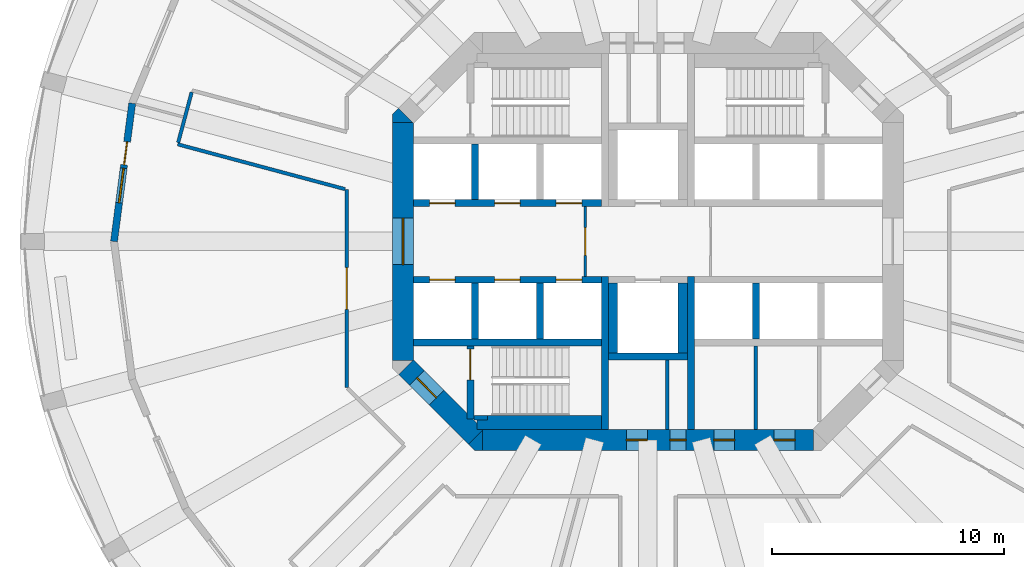
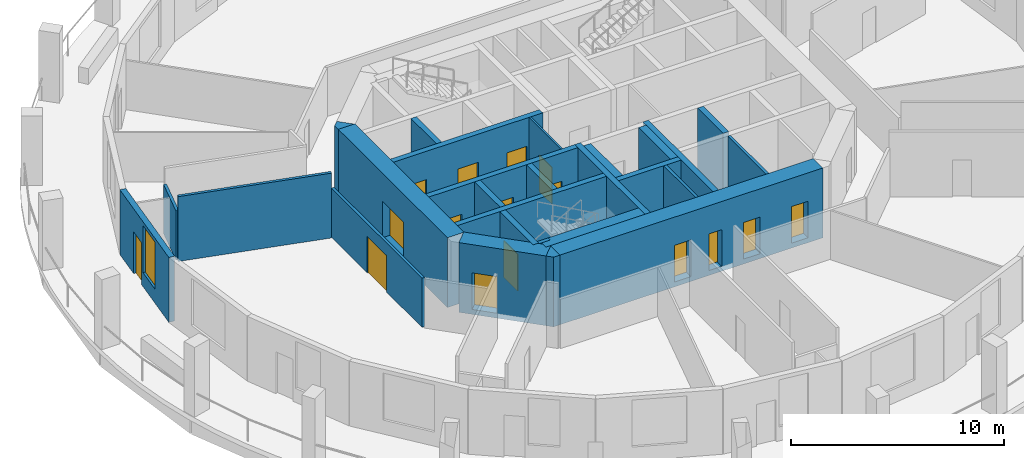
# One storey, part 3 of 9: 27 walls, 16 doors, 1 window, 17 openings.
"""IFC4 building model written with IfcOpenShell, lengths in metres."""

from ifc_helpers import new_model, si_unit, direction, frame, frame_2d, origin, place, context, subcontext, project, spatial, polyline, rectangle, outline, extrude, material, layer, layer_set, type_object, element, fill, save


model = new_model("IFC4")

# Units and contexts
model_context = context("Model", 3, precision=1e-05, world=origin(), true_north=direction((0.0, 1.0)))
body_context = subcontext(model_context, "Body", "Model", "MODEL_VIEW")
ifc_project = project(units=[si_unit("LENGTHUNIT", "METRE"), si_unit("AREAUNIT", "SQUARE_METRE"), si_unit("VOLUMEUNIT", "CUBIC_METRE"), si_unit("PLANEANGLEUNIT", "RADIAN"), si_unit("MASSUNIT", "GRAM", prefix="KILO")], contexts=[model_context])

# Site, building, storey
site_placement = place(None, origin())
site = spatial("IfcSite", under=ifc_project, at=site_placement, CompositionType="ELEMENT")
building_placement = place(site_placement, origin())
building = spatial("IfcBuilding", under=site, at=building_placement, Name="Torre Triforio", CompositionType="ELEMENT")
storey_placement = place(building_placement, frame((0.0, 0.0, 39.0)))
storey = spatial("IfcBuildingStorey", under=building, at=storey_placement, Name="L07", CompositionType="ELEMENT", Elevation=39.0)

# Walls
ifc_material_1 = material(Name="Concrete C60", Category="concrete")
ifc_layer_1 = layer(ifc_material_1, 0.300048828125)
ifc_layer_set_1 = layer_set([ifc_layer_1], Name="Concrete C60")
wall_type_1 = type_object("IfcWallType", Name="Core wall 300 mm C60 EI 120", PredefinedType="SHEAR", material=ifc_layer_set_1)
for number, where, z_axis, x_axis, name in (
    (1, (-1.85009765625, -8.10009765625, 0.0), (0.0, 0.0, 1.0), (0.0, 1.0, 0.0), "Core wall"),
    (2, (1.85009765625, -8.10009765625, 0.0), (0.0, 0.0, 1.0), (0.0, 1.0, 0.0), "Core wall"),
):
    element("IfcWall", number, at=place(storey_placement, frame(where, z_axis=z_axis, x_axis=x_axis)), inside=storey, type_object=wall_type_1, Name=name, PredefinedType="SHEAR", context=body_context, shape_type="SweptSolid", body=[
        extrude(rectangle(XDim=6.60009765625, YDim=0.300048828125, at=frame_2d((3.300048828125, 0.0))), origin(), (0.0, 0.0, 1.0), 3.719970703125),
    ])

# Wall, openings, doors
ifc_layer_2 = layer(ifc_material_1, 0.89990234375)
ifc_layer_set_2 = layer_set([ifc_layer_2], Name="Concrete C60")
wall_type_2 = type_object("IfcWallType", Name="Core wall 900 mm C60 EI 120", PredefinedType="SHEAR", material=ifc_layer_set_2)
wall_1_placement = place(storey_placement, frame((-7.1298828125, -8.550048828125, -0.280029296875), z_axis=(0.0, 0.0, 1.0), x_axis=(1.0, 0.0, 0.0)))
wall_1 = element("IfcWall", 3, at=wall_1_placement, inside=storey, type_object=wall_type_2, Name="Core wall", PredefinedType="SHEAR", context=body_context, shape_type="SweptSolid", body=[
    extrude(rectangle(XDim=14.259765625, YDim=0.89990234375, at=frame_2d((7.1298828125, 0.0))), origin(), (0.0, 0.0, 1.0), 4.0),
])
opening_1_placement = place(wall_1_placement, frame((8.080078125, 0.0, 0.280029296875)))
opening_1 = element("IfcOpeningElement", 4, at=opening_1_placement, cuts=wall_1, Name="Opening RISER-S", PredefinedType="OPENING", context=body_context, shape_type="SweptSolid", body=[
    extrude(rectangle(XDim=0.699951171875, YDim=2.10009765625, at=frame_2d((0.35009765625, 1.050048828125))), frame((0.0, 0.4599609375, 0.0), z_axis=(0.0, -1.0, 0.0), x_axis=(1.0, 0.0, 0.0)), (0.0, 0.0, 1.0), 0.919921875),
])
opening_2_placement = place(wall_1_placement, frame((6.205078125, 0.0, 0.280029296875)))
opening_2 = element("IfcOpeningElement", 5, at=opening_2_placement, cuts=wall_1, Name="Opening SW-01B", PredefinedType="OPENING", context=body_context, shape_type="SweptSolid", body=[
    extrude(rectangle(XDim=0.89990234375, YDim=2.10009765625, at=frame_2d((0.449951171875, 1.050048828125))), frame((0.0, 0.4599609375, 0.0), z_axis=(0.0, -1.0, 0.0), x_axis=(1.0, 0.0, 0.0)), (0.0, 0.0, 1.0), 0.919921875),
])
opening_3_placement = place(wall_1_placement, frame((9.967041015625, 0.0, 0.280029296875)))
opening_3 = element("IfcOpeningElement", 6, at=opening_3_placement, cuts=wall_1, Name="Opening SE-01A", PredefinedType="OPENING", context=body_context, shape_type="SweptSolid", body=[
    extrude(rectangle(XDim=0.89990234375, YDim=2.10009765625, at=frame_2d((0.449951171875, 1.050048828125))), frame((0.0, 0.4599609375, 0.0), z_axis=(0.0, -1.0, 0.0), x_axis=(1.0, 0.0, 0.0)), (0.0, 0.0, 1.0), 0.919921875),
])
opening_4_placement = place(wall_1_placement, frame((12.56689453125, 0.0, 0.280029296875)))
opening_4 = element("IfcOpeningElement", 7, at=opening_4_placement, cuts=wall_1, Name="Opening SE-02", PredefinedType="OPENING", context=body_context, shape_type="SweptSolid", body=[
    extrude(rectangle(XDim=0.89990234375, YDim=2.10009765625, at=frame_2d((0.449951171875, 1.050048828125))), frame((0.0, 0.4599609375, 0.0), z_axis=(0.0, -1.0, 0.0), x_axis=(1.0, 0.0, 0.0)), (0.0, 0.0, 1.0), 0.919921875),
])
ifc_material_2 = material(Name="Hollow metal fire door leaf")
door_type_1 = type_object("IfcDoorType", Name="Riser door 700 x 2100 EI 60", OperationType="NOTDEFINED", PredefinedType="DOOR", material=ifc_material_2)
door_1_placement = place(opening_1_placement, origin())
door_1 = element("IfcDoor", 8, at=door_1_placement, inside=storey, type_object=door_type_1, Name="Core door RISER-S", OperationType="SINGLE_SWING_RIGHT", OverallHeight=2.10009765625, OverallWidth=0.699951171875, PredefinedType="DOOR", context=body_context, shape_type="SweptSolid", body=[
    extrude(rectangle(XDim=0.699951171875, YDim=2.10009765625, at=frame_2d((0.35009765625, 1.050048828125))), frame((0.0, 0.02490234375, 0.0), z_axis=(0.0, -1.0, 0.0), x_axis=(1.0, 0.0, 0.0)), (0.0, 0.0, 1.0), 0.050048828125),
])
fill(opening_1, door_1)
door_type_2 = type_object("IfcDoorType", Name="Room door 900 x 2100 EI 60", OperationType="NOTDEFINED", PredefinedType="DOOR", material=ifc_material_2)
door_2_placement = place(opening_2_placement, origin())
door_2 = element("IfcDoor", 9, at=door_2_placement, inside=storey, type_object=door_type_2, Name="Core door SW-01", OperationType="SINGLE_SWING_LEFT", OverallHeight=2.10009765625, OverallWidth=0.89990234375, PredefinedType="DOOR", context=body_context, shape_type="SweptSolid", body=[
    extrude(rectangle(XDim=0.89990234375, YDim=2.10009765625, at=frame_2d((0.449951171875, 1.050048828125))), frame((0.0, 0.02490234375, 0.0), z_axis=(0.0, -1.0, 0.0), x_axis=(1.0, 0.0, 0.0)), (0.0, 0.0, 1.0), 0.050048828125),
])
fill(opening_2, door_2)
door_3_placement = place(opening_3_placement, origin())
door_3 = element("IfcDoor", 10, at=door_3_placement, inside=storey, type_object=door_type_2, Name="Core door SE-01", OperationType="SINGLE_SWING_LEFT", OverallHeight=2.10009765625, OverallWidth=0.89990234375, PredefinedType="DOOR", context=body_context, shape_type="SweptSolid", body=[
    extrude(rectangle(XDim=0.89990234375, YDim=2.10009765625, at=frame_2d((0.449951171875, 1.050048828125))), frame((0.0, 0.02490234375, 0.0), z_axis=(0.0, -1.0, 0.0), x_axis=(1.0, 0.0, 0.0)), (0.0, 0.0, 1.0), 0.050048828125),
])
fill(opening_3, door_3)
door_4_placement = place(opening_4_placement, origin())
door_4 = element("IfcDoor", 11, at=door_4_placement, inside=storey, type_object=door_type_2, Name="Core door SE-02", OperationType="SINGLE_SWING_LEFT", OverallHeight=2.10009765625, OverallWidth=0.89990234375, PredefinedType="DOOR", context=body_context, shape_type="SweptSolid", body=[
    extrude(rectangle(XDim=0.89990234375, YDim=2.10009765625, at=frame_2d((0.449951171875, 1.050048828125))), frame((0.0, 0.02490234375, 0.0), z_axis=(0.0, -1.0, 0.0), x_axis=(1.0, 0.0, 0.0)), (0.0, 0.0, 1.0), 0.050048828125),
])
fill(opening_4, door_4)

# Wall, opening, door
wall_2_placement = place(storey_placement, frame((-10.550048828125, -5.1298828125, -0.280029296875), z_axis=(0.0, 0.0, 1.0), x_axis=(0.0, 1.0, 0.0)))
wall_2 = element("IfcWall", 12, at=wall_2_placement, inside=storey, type_object=wall_type_2, Name="Core wall", PredefinedType="SHEAR", context=body_context, shape_type="SweptSolid", body=[
    extrude(rectangle(XDim=10.259765625, YDim=0.89990234375, at=frame_2d((5.1298828125, 0.0))), origin(), (0.0, 0.0, 1.0), 4.0),
])
opening_5_placement = place(wall_2_placement, frame((4.1298828125, 0.0, 0.280029296875)))
opening_5 = element("IfcOpeningElement", 13, at=opening_5_placement, cuts=wall_2, Name="Opening W-RING", PredefinedType="OPENING", context=body_context, shape_type="SweptSolid", body=[
    extrude(rectangle(XDim=2.0, YDim=2.10009765625, at=frame_2d((1.0, 1.050048828125))), frame((0.0, 0.4599609375, 0.0), z_axis=(0.0, -1.0, 0.0), x_axis=(1.0, 0.0, 0.0)), (0.0, 0.0, 1.0), 0.919921875),
])
door_type_3 = type_object("IfcDoorType", Name="Lobby door 2000 x 2100 EI 60", OperationType="DOUBLE_DOOR_SINGLE_SWING", PredefinedType="DOOR", material=ifc_material_2)
door_5_placement = place(opening_5_placement, origin())
door_5 = element("IfcDoor", 14, at=door_5_placement, inside=storey, type_object=door_type_3, Name="Core door W-RING", OperationType="DOUBLE_DOOR_SINGLE_SWING", OverallHeight=2.10009765625, OverallWidth=2.0, PredefinedType="DOOR", context=body_context, shape_type="SweptSolid", body=[
    extrude(rectangle(XDim=2.0, YDim=2.10009765625, at=frame_2d((1.0, 1.050048828125))), frame((0.0, 0.02490234375, 0.0), z_axis=(0.0, -1.0, 0.0), x_axis=(1.0, 0.0, 0.0)), (0.0, 0.0, 1.0), 0.050048828125),
])
fill(opening_5, door_5)

wall_3_placement = place(storey_placement, frame((-7.418212890625, -8.418212890625, -0.280029296875), z_axis=(0.0, 0.0, 1.0), x_axis=(-0.707106781187, 0.707106781187, 0.0)))
wall_3 = element("IfcWall", 15, at=wall_3_placement, inside=storey, type_object=wall_type_2, Name="Core wall", PredefinedType="SHEAR", context=body_context, shape_type="SweptSolid", body=[
    extrude(rectangle(XDim=4.24267578125, YDim=0.89990234375, at=frame_2d((2.121337890625, 0.0))), origin(), (0.0, 0.0, 1.0), 4.0),
])
opening_6_placement = place(wall_3_placement, frame((2.392578125, 0.0, 0.280029296875)))
opening_6 = element("IfcOpeningElement", 16, at=opening_6_placement, cuts=wall_3, Name="Opening ST3-EXIT", PredefinedType="OPENING", context=body_context, shape_type="SweptSolid", body=[
    extrude(rectangle(XDim=1.199951171875, YDim=2.10009765625, at=frame_2d((0.60009765625, 1.050048828125))), frame((0.0, 0.4599609375, 0.0), z_axis=(0.0, -1.0, 0.0), x_axis=(1.0, 0.0, 0.0)), (0.0, 0.0, 1.0), 0.919921875),
])
door_type_4 = type_object("IfcDoorType", Name="Stair lobby door 1200 x 2100 EI 60", OperationType="NOTDEFINED", PredefinedType="DOOR", material=ifc_material_2)
door_6_placement = place(opening_6_placement, origin())
door_6 = element("IfcDoor", 17, at=door_6_placement, inside=storey, type_object=door_type_4, Name="Core door ST3-EXIT", OperationType="SINGLE_SWING_RIGHT", OverallHeight=2.10009765625, OverallWidth=1.199951171875, PredefinedType="DOOR", context=body_context, shape_type="SweptSolid", body=[
    extrude(rectangle(XDim=1.199951171875, YDim=2.10009765625, at=frame_2d((0.60009765625, 1.050048828125))), frame((0.0, 0.02490234375, 0.0), z_axis=(0.0, -1.0, 0.0), x_axis=(1.0, 0.0, 0.0)), (0.0, 0.0, 1.0), 0.050048828125),
])
fill(opening_6, door_6)

# Walls
wall_4_placement = place(storey_placement, frame((0.0, 0.0, -0.280029296875)))
element("IfcWall", 18, at=wall_4_placement, inside=storey, type_object=wall_type_2, Name="Core wall", PredefinedType="SHEAR", context=body_context, shape_type="SweptSolid", body=[
    extrude(outline(polyline([(-7.472900390625, -9.0), (-7.736328125, -8.736328125), (-7.1298828125, -8.1298828125), (-7.1298828125, -9.0), (-7.472900390625, -9.0)])), origin(), (0.0, 0.0, 1.0), 4.0),
])
wall_5_placement = place(storey_placement, frame((0.0, 0.0, -0.280029296875)))
element("IfcWall", 19, at=wall_5_placement, inside=storey, type_object=wall_type_2, Name="Core wall", PredefinedType="SHEAR", context=body_context, shape_type="SweptSolid", body=[
    extrude(outline(polyline([(-10.736328125, 5.736328125), (-10.1298828125, 5.1298828125), (-11.0, 5.1298828125), (-11.0, 5.472900390625), (-10.736328125, 5.736328125)])), origin(), (0.0, 0.0, 1.0), 4.0),
])

# Wall, opening, door
ifc_material_3 = material(Name="Plasterboard on metal studs")
ifc_layer_3 = layer(ifc_material_3, 0.14990234375)
ifc_layer_set_3 = layer_set([ifc_layer_3], Name="Plasterboard on metal studs")
wall_type_3 = type_object("IfcWallType", Name="Corridor and tenancy wall 150 mm EI 60", PredefinedType="PARTITIONING", material=ifc_layer_set_3)
wall_6_placement = place(storey_placement, frame((-12.97509765625, -6.291015625, 0.0), z_axis=(0.0, 0.0, 1.0), x_axis=(0.0, 1.0, 0.0)))
wall_6 = element("IfcWall", 20, at=wall_6_placement, inside=storey, type_object=wall_type_3, Name="Partition 14", PredefinedType="PARTITIONING", context=body_context, shape_type="SweptSolid", body=[
    extrude(rectangle(XDim=8.525390625, YDim=0.14990234375, at=frame_2d((4.2626953125, 0.0))), origin(), (0.0, 0.0, 1.0), 2.820068359375),
])
opening_7_placement = place(wall_6_placement, frame((3.362548828125, 0.0, 0.0)))
opening_7 = element("IfcOpeningElement", 21, at=opening_7_placement, cuts=wall_6, Name="Opening N2-04", PredefinedType="OPENING", context=body_context, shape_type="SweptSolid", body=[
    extrude(rectangle(XDim=1.800048828125, YDim=2.10009765625, at=frame_2d((0.89990234375, 1.050048828125))), frame((0.0, 0.0849609375, 0.0), z_axis=(0.0, -1.0, 0.0), x_axis=(1.0, 0.0, 0.0)), (0.0, 0.0, 1.0), 0.169921875),
])
ifc_material_4 = material(Name="Timber", Category="wood")
door_type_5 = type_object("IfcDoorType", Name="Door 1800 x 2100 double leaf EI 30", OperationType="DOUBLE_DOOR_SINGLE_SWING", PredefinedType="DOOR", material=ifc_material_4)
door_7_placement = place(opening_7_placement, origin())
door_7 = element("IfcDoor", 22, at=door_7_placement, inside=storey, type_object=door_type_5, Name="Door N2-04", OperationType="DOUBLE_DOOR_SINGLE_SWING", OverallHeight=2.10009765625, OverallWidth=1.800048828125, PredefinedType="DOOR", context=body_context, shape_type="SweptSolid", body=[
    extrude(rectangle(XDim=1.800048828125, YDim=2.10009765625, at=frame_2d((0.89990234375, 1.050048828125))), frame((0.0, 0.02490234375, 0.0), z_axis=(0.0, -1.0, 0.0), x_axis=(1.0, 0.0, 0.0)), (0.0, 0.0, 1.0), 0.050048828125),
])
fill(opening_7, door_7)

# Walls
wall_7_placement = place(storey_placement, frame((-13.044921875, 2.253173828125, 0.0), z_axis=(0.0, 0.0, 1.0), x_axis=(-0.965924840231, 0.258822725092, 0.0)))
element("IfcWall", 23, at=wall_7_placement, inside=storey, type_object=wall_type_3, Name="Partition 15", PredefinedType="PARTITIONING", context=body_context, shape_type="SweptSolid", body=[
    extrude(rectangle(XDim=7.465087890625, YDim=0.14990234375, at=frame_2d((3.732421875, 0.0))), origin(), (0.0, 0.0, 1.0), 3.719970703125),
])
wall_8_placement = place(storey_placement, frame((-20.236328125, 4.257568359375, 0.0), z_axis=(0.0, 0.0, 1.0), x_axis=(0.258891558609, 0.965906393436, 0.0)))
element("IfcWall", 24, at=wall_8_placement, inside=storey, type_object=wall_type_3, Name="Partition 16", PredefinedType="PARTITIONING", context=body_context, shape_type="SweptSolid", body=[
    extrude(rectangle(XDim=2.25, YDim=0.14990234375, at=frame_2d((1.125, 0.0))), origin(), (0.0, 0.0, 1.0), 2.820068359375),
])

# Wall, opening, door
ifc_material_5 = material(Name="Block and board partition")
ifc_layer_4 = layer(ifc_material_5, 0.10009765625)
ifc_layer_set_4 = layer_set([ifc_layer_4], Name="Block and board partition")
wall_type_4 = type_object("IfcWallType", Name="Partition 100 mm EI 120", PredefinedType="PARTITIONING", material=ifc_layer_set_4)
wall_9_placement = place(storey_placement, frame((-2.699951171875, -1.5, 0.0), z_axis=(0.0, 0.0, 1.0), x_axis=(0.0, 1.0, 0.0)))
wall_9 = element("IfcWall", 25, at=wall_9_placement, inside=storey, type_object=wall_type_4, Name="Partition", PredefinedType="PARTITIONING", context=body_context, shape_type="SweptSolid", body=[
    extrude(rectangle(XDim=3.0, YDim=0.10009765625, at=frame_2d((1.5, 0.0))), origin(), (0.0, 0.0, 1.0), 3.719970703125),
])
opening_8_placement = place(wall_9_placement, frame((0.89990234375, 0.0, 0.0)))
opening_8 = element("IfcOpeningElement", 26, at=opening_8_placement, cuts=wall_9, Name="Opening FF-W", PredefinedType="OPENING", context=body_context, shape_type="SweptSolid", body=[
    extrude(rectangle(XDim=1.199951171875, YDim=2.10009765625, at=frame_2d((0.60009765625, 1.050048828125))), frame((0.0, 0.06005859375, 0.0), z_axis=(0.0, -1.0, 0.0), x_axis=(1.0, 0.0, 0.0)), (0.0, 0.0, 1.0), 0.1201171875),
])
door_type_6 = type_object("IfcDoorType", Name="Fire-fighting lobby door 1200 x 2100 EI 60", OperationType="NOTDEFINED", PredefinedType="DOOR", material=ifc_material_2)
door_8_placement = place(opening_8_placement, origin())
door_8 = element("IfcDoor", 27, at=door_8_placement, inside=storey, type_object=door_type_6, Name="Core door FF-W", OperationType="SINGLE_SWING_RIGHT", OverallHeight=2.10009765625, OverallWidth=1.199951171875, PredefinedType="DOOR", context=body_context, shape_type="SweptSolid", body=[
    extrude(rectangle(XDim=1.199951171875, YDim=2.10009765625, at=frame_2d((0.60009765625, 1.050048828125))), frame((0.0, 0.02490234375, 0.0), z_axis=(0.0, -1.0, 0.0), x_axis=(1.0, 0.0, 0.0)), (0.0, 0.0, 1.0), 0.050048828125),
])
fill(opening_8, door_8)

# Walls
ifc_layer_5 = layer(ifc_material_5, 0.14990234375)
ifc_layer_set_5 = layer_set([ifc_layer_5], Name="Block and board partition")
wall_type_5 = type_object("IfcWallType", Name="Partition 150 mm", PredefinedType="PARTITIONING", material=ifc_layer_set_5)
wall_10_placement = place(storey_placement, frame((4.64892578125, -8.10009765625, 0.0), z_axis=(0.0, 0.0, 1.0), x_axis=(0.0, 1.0, 0.0)))
element("IfcWall", 28, at=wall_10_placement, inside=storey, type_object=wall_type_5, Name="Partition", PredefinedType="PARTITIONING", context=body_context, shape_type="SweptSolid", body=[
    extrude(rectangle(XDim=3.60009765625, YDim=0.14990234375, at=frame_2d((1.800048828125, 0.0))), origin(), (0.0, 0.0, 1.0), 3.719970703125),
])
ifc_layer_6 = layer(ifc_material_5, 0.14990234375)
ifc_layer_set_6 = layer_set([ifc_layer_6], Name="Block and board partition")
wall_type_6 = type_object("IfcWallType", Name="Partition 150 mm EI 120", PredefinedType="PARTITIONING", material=ifc_layer_set_6)
wall_11_placement = place(storey_placement, frame((0.824951171875, -8.10009765625, 0.0), z_axis=(0.0, 0.0, 1.0), x_axis=(0.0, 1.0, 0.0)))
element("IfcWall", 29, at=wall_11_placement, inside=storey, type_object=wall_type_6, Name="Partition", PredefinedType="PARTITIONING", context=body_context, shape_type="SweptSolid", body=[
    extrude(rectangle(XDim=3.0, YDim=0.14990234375, at=frame_2d((1.5, 0.0))), origin(), (0.0, 0.0, 1.0), 3.719970703125),
])
ifc_layer_7 = layer(ifc_material_1, 0.300048828125)
ifc_layer_set_7 = layer_set([ifc_layer_7], Name="Concrete C60")
wall_type_7 = type_object("IfcWallType", Name="Shaft wall 300 mm C60 EI 120", PredefinedType="SOLIDWALL", material=ifc_layer_set_7)
wall_12_placement = place(storey_placement, frame((-10.10009765625, -4.35009765625, 0.0), z_axis=(0.0, 0.0, 1.0), x_axis=(1.0, 0.0, 0.0)))
element("IfcWall", 30, at=wall_12_placement, inside=storey, type_object=wall_type_7, Name="Shaft wall", PredefinedType="SOLIDWALL", context=body_context, shape_type="SweptSolid", body=[
    extrude(rectangle(XDim=8.10009765625, YDim=0.300048828125, at=frame_2d((4.050048828125, 0.0))), origin(), (0.0, 0.0, 1.0), 3.719970703125),
])

# Wall, openings, doors
wall_13_placement = place(storey_placement, frame((-10.10009765625, 1.64990234375, 0.0), z_axis=(0.0, 0.0, 1.0), x_axis=(1.0, 0.0, 0.0)))
wall_13 = element("IfcWall", 31, at=wall_13_placement, inside=storey, type_object=wall_type_7, Name="Shaft wall", PredefinedType="SOLIDWALL", context=body_context, shape_type="SweptSolid", body=[
    extrude(rectangle(XDim=8.10009765625, YDim=0.300048828125, at=frame_2d((4.050048828125, 0.0))), origin(), (0.0, 0.0, 1.0), 3.719970703125),
])
opening_9_placement = place(wall_13_placement, frame((0.699951171875, 0.0, 0.0)))
opening_9 = element("IfcOpeningElement", 32, at=opening_9_placement, cuts=wall_13, Name="Opening LD", PredefinedType="OPENING", context=body_context, shape_type="SweptSolid", body=[
    extrude(rectangle(XDim=1.10009765625, YDim=2.10009765625, at=frame_2d((0.550048828125, 1.050048828125))), frame((0.0, 0.159912109375, 0.0), z_axis=(0.0, -1.0, 0.0), x_axis=(1.0, 0.0, 0.0)), (0.0, 0.0, 1.0), 0.320068359375),
])
opening_10_placement = place(wall_13_placement, frame((3.5, 0.0, 0.0)))
opening_10 = element("IfcOpeningElement", 33, at=opening_10_placement, cuts=wall_13, Name="Opening LD", PredefinedType="OPENING", context=body_context, shape_type="SweptSolid", body=[
    extrude(rectangle(XDim=1.10009765625, YDim=2.10009765625, at=frame_2d((0.550048828125, 1.050048828125))), frame((0.0, 0.159912109375, 0.0), z_axis=(0.0, -1.0, 0.0), x_axis=(1.0, 0.0, 0.0)), (0.0, 0.0, 1.0), 0.320068359375),
])
opening_11_placement = place(wall_13_placement, frame((6.14990234375, 0.0, 0.0)))
opening_11 = element("IfcOpeningElement", 34, at=opening_11_placement, cuts=wall_13, Name="Opening LD", PredefinedType="OPENING", context=body_context, shape_type="SweptSolid", body=[
    extrude(rectangle(XDim=1.10009765625, YDim=2.10009765625, at=frame_2d((0.550048828125, 1.050048828125))), frame((0.0, 0.159912109375, 0.0), z_axis=(0.0, -1.0, 0.0), x_axis=(1.0, 0.0, 0.0)), (0.0, 0.0, 1.0), 0.320068359375),
])
door_type_7 = type_object("IfcDoorType", Name="Landing door 1100 x 2100 EI 60", OperationType="DOUBLE_DOOR_SLIDING", PredefinedType="DOOR", material=ifc_material_2)
door_9_placement = place(opening_9_placement, origin())
door_9 = element("IfcDoor", 35, at=door_9_placement, inside=storey, type_object=door_type_7, Name="Landing door LR1", OperationType="DOUBLE_DOOR_SLIDING", OverallHeight=2.10009765625, OverallWidth=1.10009765625, PredefinedType="DOOR", context=body_context, shape_type="SweptSolid", body=[
    extrude(rectangle(XDim=1.10009765625, YDim=2.10009765625, at=frame_2d((0.550048828125, 1.050048828125))), frame((0.0, 0.02490234375, 0.0), z_axis=(0.0, -1.0, 0.0), x_axis=(1.0, 0.0, 0.0)), (0.0, 0.0, 1.0), 0.050048828125),
])
fill(opening_9, door_9)
door_10_placement = place(opening_10_placement, origin())
door_10 = element("IfcDoor", 36, at=door_10_placement, inside=storey, type_object=door_type_7, Name="Landing door LR2", OperationType="DOUBLE_DOOR_SLIDING", OverallHeight=2.10009765625, OverallWidth=1.10009765625, PredefinedType="DOOR", context=body_context, shape_type="SweptSolid", body=[
    extrude(rectangle(XDim=1.10009765625, YDim=2.10009765625, at=frame_2d((0.550048828125, 1.050048828125))), frame((0.0, 0.02490234375, 0.0), z_axis=(0.0, -1.0, 0.0), x_axis=(1.0, 0.0, 0.0)), (0.0, 0.0, 1.0), 0.050048828125),
])
fill(opening_10, door_10)
door_11_placement = place(opening_11_placement, origin())
door_11 = element("IfcDoor", 37, at=door_11_placement, inside=storey, type_object=door_type_7, Name="Landing door LR3", OperationType="DOUBLE_DOOR_SLIDING", OverallHeight=2.10009765625, OverallWidth=1.10009765625, PredefinedType="DOOR", context=body_context, shape_type="SweptSolid", body=[
    extrude(rectangle(XDim=1.10009765625, YDim=2.10009765625, at=frame_2d((0.550048828125, 1.050048828125))), frame((0.0, 0.02490234375, 0.0), z_axis=(0.0, -1.0, 0.0), x_axis=(1.0, 0.0, 0.0)), (0.0, 0.0, 1.0), 0.050048828125),
])
fill(opening_11, door_11)

wall_14_placement = place(storey_placement, frame((-10.10009765625, -1.64990234375, 0.0), z_axis=(0.0, 0.0, 1.0), x_axis=(1.0, 0.0, 0.0)))
wall_14 = element("IfcWall", 38, at=wall_14_placement, inside=storey, type_object=wall_type_7, Name="Shaft wall", PredefinedType="SOLIDWALL", context=body_context, shape_type="SweptSolid", body=[
    extrude(rectangle(XDim=8.10009765625, YDim=0.300048828125, at=frame_2d((4.050048828125, 0.0))), origin(), (0.0, 0.0, 1.0), 3.719970703125),
])
opening_12_placement = place(wall_14_placement, frame((0.699951171875, 0.0, 0.0)))
opening_12 = element("IfcOpeningElement", 39, at=opening_12_placement, cuts=wall_14, Name="Opening LD", PredefinedType="OPENING", context=body_context, shape_type="SweptSolid", body=[
    extrude(rectangle(XDim=1.10009765625, YDim=2.10009765625, at=frame_2d((0.550048828125, 1.050048828125))), frame((0.0, 0.159912109375, 0.0), z_axis=(0.0, -1.0, 0.0), x_axis=(1.0, 0.0, 0.0)), (0.0, 0.0, 1.0), 0.320068359375),
])
opening_13_placement = place(wall_14_placement, frame((3.5, 0.0, 0.0)))
opening_13 = element("IfcOpeningElement", 40, at=opening_13_placement, cuts=wall_14, Name="Opening LD", PredefinedType="OPENING", context=body_context, shape_type="SweptSolid", body=[
    extrude(rectangle(XDim=1.10009765625, YDim=2.10009765625, at=frame_2d((0.550048828125, 1.050048828125))), frame((0.0, 0.159912109375, 0.0), z_axis=(0.0, -1.0, 0.0), x_axis=(1.0, 0.0, 0.0)), (0.0, 0.0, 1.0), 0.320068359375),
])
opening_14_placement = place(wall_14_placement, frame((6.14990234375, 0.0, 0.0)))
opening_14 = element("IfcOpeningElement", 41, at=opening_14_placement, cuts=wall_14, Name="Opening LD", PredefinedType="OPENING", context=body_context, shape_type="SweptSolid", body=[
    extrude(rectangle(XDim=1.10009765625, YDim=2.10009765625, at=frame_2d((0.550048828125, 1.050048828125))), frame((0.0, 0.159912109375, 0.0), z_axis=(0.0, -1.0, 0.0), x_axis=(1.0, 0.0, 0.0)), (0.0, 0.0, 1.0), 0.320068359375),
])
door_12_placement = place(opening_12_placement, origin())
door_12 = element("IfcDoor", 42, at=door_12_placement, inside=storey, type_object=door_type_7, Name="Landing door LR4", OperationType="DOUBLE_DOOR_SLIDING", OverallHeight=2.10009765625, OverallWidth=1.10009765625, PredefinedType="DOOR", context=body_context, shape_type="SweptSolid", body=[
    extrude(rectangle(XDim=1.10009765625, YDim=2.10009765625, at=frame_2d((0.550048828125, 1.050048828125))), frame((0.0, 0.02490234375, 0.0), z_axis=(0.0, -1.0, 0.0), x_axis=(1.0, 0.0, 0.0)), (0.0, 0.0, 1.0), 0.050048828125),
])
fill(opening_12, door_12)
door_13_placement = place(opening_13_placement, origin())
door_13 = element("IfcDoor", 43, at=door_13_placement, inside=storey, type_object=door_type_7, Name="Landing door LR5", OperationType="DOUBLE_DOOR_SLIDING", OverallHeight=2.10009765625, OverallWidth=1.10009765625, PredefinedType="DOOR", context=body_context, shape_type="SweptSolid", body=[
    extrude(rectangle(XDim=1.10009765625, YDim=2.10009765625, at=frame_2d((0.550048828125, 1.050048828125))), frame((0.0, 0.02490234375, 0.0), z_axis=(0.0, -1.0, 0.0), x_axis=(1.0, 0.0, 0.0)), (0.0, 0.0, 1.0), 0.050048828125),
])
fill(opening_13, door_13)
door_14_placement = place(opening_14_placement, origin())
door_14 = element("IfcDoor", 44, at=door_14_placement, inside=storey, type_object=door_type_7, Name="Landing door LR6", OperationType="DOUBLE_DOOR_SLIDING", OverallHeight=2.10009765625, OverallWidth=1.10009765625, PredefinedType="DOOR", context=body_context, shape_type="SweptSolid", body=[
    extrude(rectangle(XDim=1.10009765625, YDim=2.10009765625, at=frame_2d((0.550048828125, 1.050048828125))), frame((0.0, 0.02490234375, 0.0), z_axis=(0.0, -1.0, 0.0), x_axis=(1.0, 0.0, 0.0)), (0.0, 0.0, 1.0), 0.050048828125),
])
fill(opening_14, door_14)

# Walls
for number, where, z_axis, x_axis, name in (
    (45, (-7.449951171875, 1.800048828125, 0.0), (0.0, 0.0, 1.0), (0.0, 1.0, 0.0), "Shaft wall"),
    (46, (-7.449951171875, -4.199951171875, 0.0), (0.0, 0.0, 1.0), (0.0, 1.0, 0.0), "Shaft wall"),
    (47, (-4.64990234375, -4.199951171875, 0.0), (0.0, 0.0, 1.0), (0.0, 1.0, 0.0), "Shaft wall"),
    (48, (4.64990234375, -4.199951171875, 0.0), (0.0, 0.0, 1.0), (0.0, 1.0, 0.0), "Shaft wall"),
):
    element("IfcWall", number, at=place(storey_placement, frame(where, z_axis=z_axis, x_axis=x_axis)), inside=storey, type_object=wall_type_7, Name=name, PredefinedType="SOLIDWALL", context=body_context, shape_type="SweptSolid", body=[
        extrude(rectangle(XDim=2.39990234375, YDim=0.300048828125, at=frame_2d((1.199951171875, 0.0))), origin(), (0.0, 0.0, 1.0), 3.719970703125),
    ])
wall_15_placement = place(storey_placement, frame((-1.699951171875, -4.949951171875, 0.0), z_axis=(0.0, 0.0, 1.0), x_axis=(1.0, 0.0, 0.0)))
element("IfcWall", 49, at=wall_15_placement, inside=storey, type_object=wall_type_7, Name="Shaft wall", PredefinedType="SOLIDWALL", context=body_context, shape_type="SweptSolid", body=[
    extrude(rectangle(XDim=3.39990234375, YDim=0.300048828125, at=frame_2d((1.699951171875, 0.0))), origin(), (0.0, 0.0, 1.0), 3.719970703125),
])
ifc_layer_8 = layer(ifc_material_1, 0.39990234375)
ifc_layer_set_8 = layer_set([ifc_layer_8], Name="Concrete C60")
wall_type_8 = type_object("IfcWallType", Name="Shaft wall 400 mm C60 EI 120", PredefinedType="SOLIDWALL", material=ifc_layer_set_8)
for number, where, z_axis, x_axis, name in (
    (50, (-1.5, -4.800048828125, 0.0), (0.0, 0.0, 1.0), (0.0, 1.0, 0.0), "Shaft wall"),
    (51, (1.5, -4.800048828125, 0.0), (0.0, 0.0, 1.0), (0.0, 1.0, 0.0), "Shaft wall"),
):
    element("IfcWall", number, at=place(storey_placement, frame(where, z_axis=z_axis, x_axis=x_axis)), inside=storey, type_object=wall_type_8, Name=name, PredefinedType="SOLIDWALL", context=body_context, shape_type="SweptSolid", body=[
        extrude(rectangle(XDim=3.0, YDim=0.39990234375, at=frame_2d((1.5, 0.0))), origin(), (0.0, 0.0, 1.0), 3.719970703125),
    ])
ifc_layer_9 = layer(ifc_material_1, 0.199951171875)
ifc_layer_set_9 = layer_set([ifc_layer_9], Name="Concrete C60")
wall_type_9 = type_object("IfcWallType", Name="Stair wall 200 mm C60 EI 120", PredefinedType="SHEAR", material=ifc_layer_set_9)
wall_16_placement = place(storey_placement, frame((-7.5, -7.60009765625, 0.0), z_axis=(0.0, 0.0, 1.0), x_axis=(1.0, 0.0, 0.0)))
element("IfcWall", 52, at=wall_16_placement, inside=storey, type_object=wall_type_9, Name="Stair wall", PredefinedType="SHEAR", context=body_context, shape_type="SweptSolid", body=[
    extrude(rectangle(XDim=0.60009765625, YDim=0.199951171875, at=frame_2d((0.300048828125, 0.0))), origin(), (0.0, 0.0, 1.0), 3.719970703125),
])

# Wall, opening, door
ifc_layer_10 = layer(ifc_material_1, 0.300048828125)
ifc_layer_set_10 = layer_set([ifc_layer_10], Name="Concrete C60")
wall_type_10 = type_object("IfcWallType", Name="Stair wall 300 mm C60 EI 120", PredefinedType="SHEAR", material=ifc_layer_set_10)
wall_17_placement = place(storey_placement, frame((-7.64990234375, -7.639892578125, 0.0), z_axis=(0.0, 0.0, 1.0), x_axis=(0.0, 1.0, 0.0)))
wall_17 = element("IfcWall", 53, at=wall_17_placement, inside=storey, type_object=wall_type_10, Name="Stair wall", PredefinedType="SHEAR", context=body_context, shape_type="SweptSolid", body=[
    extrude(rectangle(XDim=3.139892578125, YDim=0.300048828125, at=frame_2d((1.56982421875, 0.0))), origin(), (0.0, 0.0, 1.0), 3.719970703125),
])
opening_15_placement = place(wall_17_placement, frame((1.679931640625, 0.0, 0.0)))
opening_15 = element("IfcOpeningElement", 54, at=opening_15_placement, cuts=wall_17, Name="Opening ST3-STA", PredefinedType="OPENING", context=body_context, shape_type="SweptSolid", body=[
    extrude(rectangle(XDim=1.320068359375, YDim=2.10009765625, at=frame_2d((0.66015625, 1.050048828125))), frame((0.0, 0.159912109375, 0.0), z_axis=(0.0, -1.0, 0.0), x_axis=(1.0, 0.0, 0.0)), (0.0, 0.0, 1.0), 0.320068359375),
])
door_type_8 = type_object("IfcDoorType", Name="Stair door 1320 x 2100 EI 90", OperationType="DOUBLE_DOOR_SINGLE_SWING", PredefinedType="DOOR", material=ifc_material_2)
door_15_placement = place(opening_15_placement, origin())
door_15 = element("IfcDoor", 55, at=door_15_placement, inside=storey, type_object=door_type_8, Name="Core door ST3-ST", OperationType="DOUBLE_DOOR_SINGLE_SWING", OverallHeight=2.10009765625, OverallWidth=1.320068359375, PredefinedType="DOOR", context=body_context, shape_type="SweptSolid", body=[
    extrude(rectangle(XDim=1.320068359375, YDim=2.10009765625, at=frame_2d((0.66015625, 1.050048828125))), frame((0.0, 0.02490234375, 0.0), z_axis=(0.0, -1.0, 0.0), x_axis=(1.0, 0.0, 0.0)), (0.0, 0.0, 1.0), 0.050048828125),
])
fill(opening_15, door_15)

# Wall
ifc_layer_11 = layer(ifc_material_1, 0.60009765625)
ifc_layer_set_11 = layer_set([ifc_layer_11], Name="Concrete C60")
wall_type_11 = type_object("IfcWallType", Name="Stair wall 600 mm C60 EI 120", PredefinedType="SHEAR", material=ifc_layer_set_11)
wall_18_placement = place(storey_placement, frame((-7.3701171875, -7.800048828125, 0.0), z_axis=(0.0, 0.0, 1.0), x_axis=(1.0, 0.0, 0.0)))
element("IfcWall", 56, at=wall_18_placement, inside=storey, type_object=wall_type_11, Name="Stair wall", PredefinedType="SHEAR", context=body_context, shape_type="SweptSolid", body=[
    extrude(rectangle(XDim=5.3701171875, YDim=0.60009765625, at=frame_2d((2.68505859375, 0.0))), origin(), (0.0, 0.0, 1.0), 3.719970703125),
])

# Wall, openings, door, window
ifc_material_6 = material(Name="Limestone cladding", Category="masonry")
ifc_layer_12 = layer(ifc_material_6, 0.10009765625)
ifc_material_7 = material(Name="Concrete C40", Category="concrete")
ifc_layer_13 = layer(ifc_material_7, 0.199951171875)
ifc_layer_set_12 = layer_set([ifc_layer_12, ifc_layer_13], Name="Limestone cladding / Concrete C40")
wall_type_12 = type_object("IfcWallType", Name="Stone-faced composite wall 300", PredefinedType="STANDARD", material=ifc_layer_set_12)
wall_19_placement = place(storey_placement, frame((-22.21630859375, 5.952880859375, 0.0), z_axis=(0.0, 0.0, 1.0), x_axis=(-0.130522880875, -0.991445297315, 0.0)))
wall_19 = element("IfcWall", 57, at=wall_19_placement, inside=storey, type_object=wall_type_12, Name="External wall L07 bay 12", PredefinedType="STANDARD", context=body_context, shape_type="SweptSolid", body=[
    extrude(rectangle(XDim=6.004150390625, YDim=0.300048828125, at=frame_2d((3.001953125, 0.0))), origin(), (0.0, 0.0, 1.0), 3.719970703125),
])
opening_16_placement = place(wall_19_placement, frame((1.677001953125, 0.0, 0.0)))
opening_16 = element("IfcOpeningElement", 58, at=opening_16_placement, cuts=wall_19, Name="Opening N2-D12", PredefinedType="OPENING", context=body_context, shape_type="SweptSolid", body=[
    extrude(rectangle(XDim=1.0, YDim=2.39990234375, at=frame_2d((0.5, 1.199951171875))), frame((0.0, 0.159912109375, 0.0), z_axis=(0.0, -1.0, 0.0), x_axis=(1.0, 0.0, 0.0)), (0.0, 0.0, 1.0), 0.320068359375),
])
opening_17_placement = place(wall_19_placement, frame((2.8271484375, 0.0, 0.800048828125)))
opening_17 = element("IfcOpeningElement", 59, at=opening_17_placement, cuts=wall_19, Name="Opening N2-W12A", PredefinedType="OPENING", context=body_context, shape_type="SweptSolid", body=[
    extrude(rectangle(XDim=1.5, YDim=2.699951171875, at=frame_2d((0.75, 1.35009765625))), frame((0.0, 0.159912109375, 0.0), z_axis=(0.0, -1.0, 0.0), x_axis=(1.0, 0.0, 0.0)), (0.0, 0.0, 1.0), 0.320068359375),
])
ifc_material_8 = material(Name="Aluminium frame with clear double glazing", Category="aluminium")
door_type_9 = type_object("IfcDoorType", Name="Loggia door 1000 x 2400", OperationType="NOTDEFINED", PredefinedType="DOOR", material=ifc_material_8)
door_16_placement = place(opening_16_placement, origin())
door_16 = element("IfcDoor", 60, at=door_16_placement, inside=storey, type_object=door_type_9, Name="Loggia door L07 bay 12", OperationType="SINGLE_SWING_LEFT", OverallHeight=2.39990234375, OverallWidth=1.0, PredefinedType="DOOR", context=body_context, shape_type="SweptSolid", body=[
    extrude(rectangle(XDim=1.0, YDim=2.39990234375, at=frame_2d((0.5, 1.199951171875))), frame((0.0, 0.02490234375, 0.0), z_axis=(0.0, -1.0, 0.0), x_axis=(1.0, 0.0, 0.0)), (0.0, 0.0, 1.0), 0.050048828125),
])
fill(opening_16, door_16)
window_type = type_object("IfcWindowType", Name="Side window 1500 x 2700", PartitioningType="SINGLE_PANEL", PredefinedType="WINDOW", material=ifc_material_8)
window_placement = place(opening_17_placement, origin())
window = element("IfcWindow", 61, at=window_placement, inside=storey, type_object=window_type, Name="Side window EWN12 L07 bay 12", OverallHeight=2.699951171875, OverallWidth=1.5, PartitioningType="SINGLE_PANEL", PredefinedType="WINDOW", context=body_context, shape_type="SweptSolid", body=[
    extrude(rectangle(XDim=1.5, YDim=2.699951171875, at=frame_2d((0.75, 1.35009765625))), frame((0.0, 0.030029296875, 0.0), z_axis=(0.0, -1.0, 0.0), x_axis=(1.0, 0.0, 0.0)), (0.0, 0.0, 1.0), 0.06005859375),
])
fill(opening_17, window)

save(model, "model.ifc")
